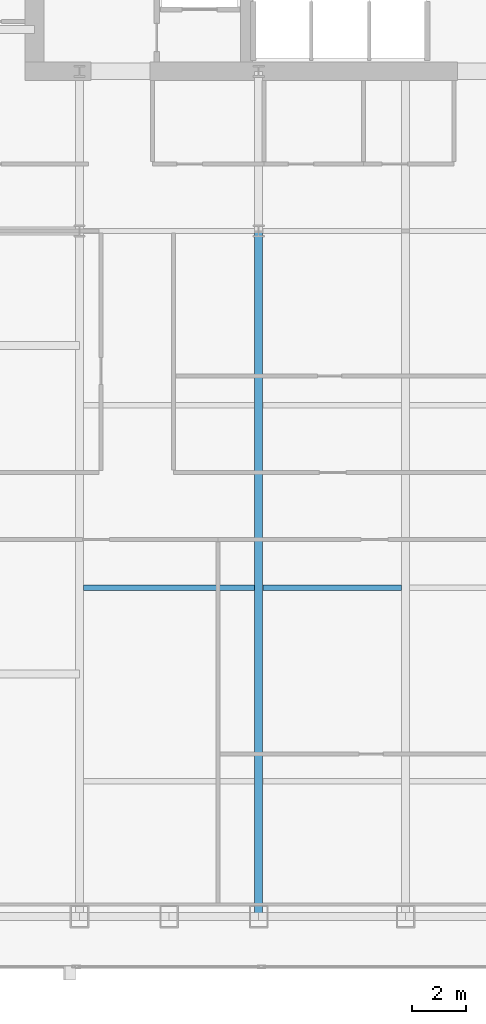
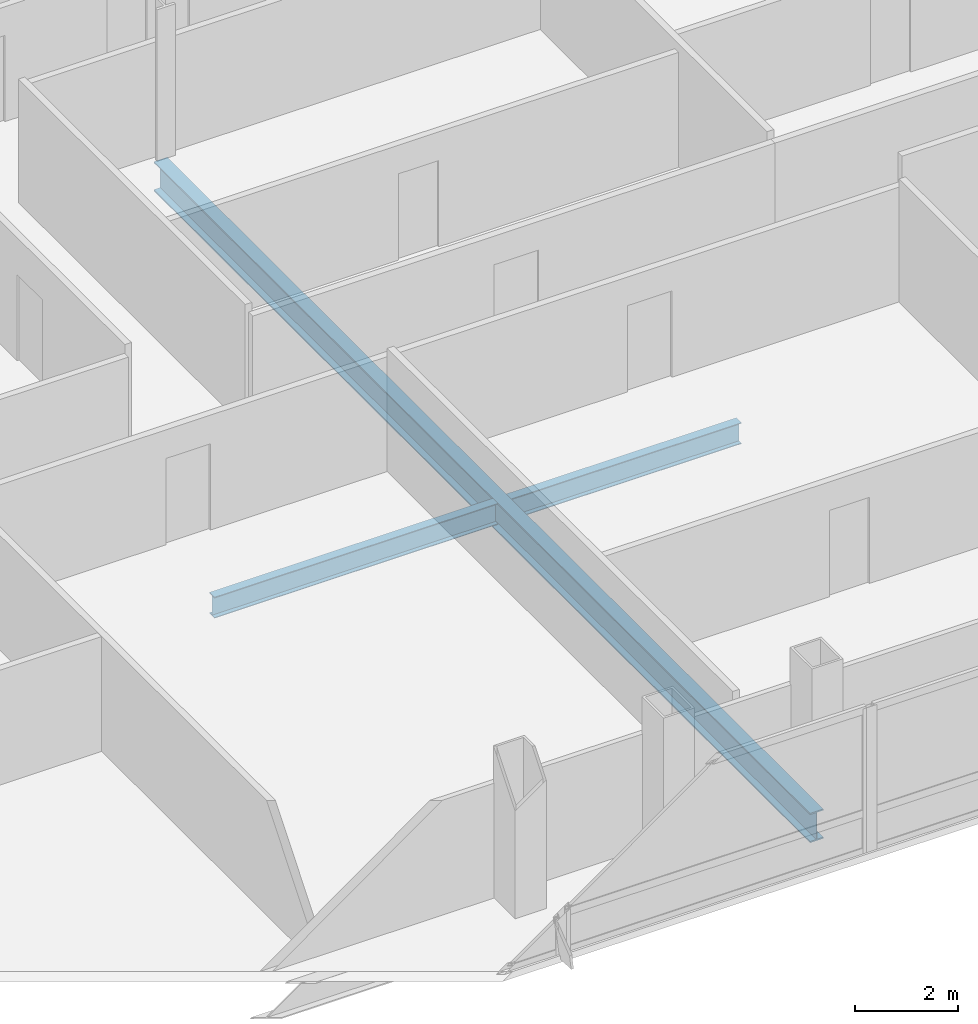
# One storey, part 9 of 29: 3 beams.
"""IFC4 building model written with IfcOpenShell, lengths in metres."""

from ifc_helpers import new_model, si_unit, direction, frame, origin, origin_2d, place, context, subcontext, project, spatial, i_section, extrude, material, material_profile, profile_set, type_object, element, save


model = new_model("IFC4")

# Units and contexts
model_context = context("Model", 3, precision=1e-05, world=origin(), true_north=direction((0.0, 1.0)))
body_context = subcontext(model_context, "Body", "Model", "MODEL_VIEW")
ifc_project = project(units=[si_unit("LENGTHUNIT", "METRE"), si_unit("AREAUNIT", "SQUARE_METRE"), si_unit("VOLUMEUNIT", "CUBIC_METRE"), si_unit("PLANEANGLEUNIT", "RADIAN"), si_unit("MASSUNIT", "GRAM", prefix="KILO")], contexts=[model_context])

# Site, building, storey
site_placement = place(None, origin())
site = spatial("IfcSite", under=ifc_project, at=site_placement, CompositionType="ELEMENT")
building_placement = place(site_placement, origin())
building = spatial("IfcBuilding", under=site, at=building_placement, Name="Khoronbel Lancet Exchange", CompositionType="ELEMENT")
storey_placement = place(building_placement, frame((0.0, 0.0, 139.800048828125)))
storey = spatial("IfcBuildingStorey", under=building, at=storey_placement, Name="L34", CompositionType="ELEMENT", Elevation=139.800048828125)

# Beams
ifc_material = material(Name="Steel S355", Category="steel")
ifc_material_profile_1 = material_profile(ifc_material, i_section(OverallWidth=0.300048828125, OverallDepth=0.699951171875, WebThickness=0.01708984375, FlangeThickness=0.031982421875, at=origin_2d()), Name="HEB 700")
ifc_profile_set_1 = profile_set([ifc_material_profile_1], Name="Steel S355")
beam_type_1 = type_object("IfcBeamType", Name="BM-BG3", PredefinedType="BEAM", material=ifc_profile_set_1)
beam_1_placement = place(storey_placement, frame((24.89990234375, 10.14990234375, -0.510009765625), z_axis=(0.0, 1.0, 0.0), x_axis=(-1.0, 0.0, 0.0)))
element("IfcBeam", 1, at=beam_1_placement, inside=storey, type_object=beam_type_1, Name="Level L34 south primary girder GS2", PredefinedType="BEAM", context=body_context, shape_type="SweptSolid", body=[
    extrude(i_section(OverallWidth=0.300048828125, OverallDepth=0.699951171875, WebThickness=0.01708984375, FlangeThickness=0.031982421875, at=origin_2d()), origin(), (0.0, 0.0, 1.0), 25.550048828125),
])
ifc_material_profile_2 = material_profile(ifc_material, i_section(OverallWidth=0.199951171875, OverallDepth=0.5, WebThickness=0.01025390625, FlangeThickness=0.01611328125, at=origin_2d()), Name="IPE 500")
ifc_profile_set_2 = profile_set([ifc_material_profile_2], Name="Steel S355")
beam_type_2 = type_object("IfcBeamType", Name="BM-BJ3", PredefinedType="JOIST", material=ifc_profile_set_2)
beam_2_placement = place(storey_placement, frame((18.375, 22.39990234375, -0.41015625), z_axis=(1.0, 0.0, 0.0), x_axis=(0.0, 1.0, 0.0)))
element("IfcBeam", 2, at=beam_2_placement, inside=storey, type_object=beam_type_2, Name="Level L34 secondary composite joist J06", PredefinedType="JOIST", context=body_context, shape_type="SweptSolid", body=[
    extrude(i_section(OverallWidth=0.199951171875, OverallDepth=0.5, WebThickness=0.01025390625, FlangeThickness=0.01611328125, at=origin_2d()), origin(), (0.0, 0.0, 1.0), 6.375),
])
beam_3_placement = place(storey_placement, frame((25.050048828125, 22.39990234375, -0.41015625), z_axis=(1.0, 0.0, 0.0), x_axis=(0.0, 1.0, 0.0)))
element("IfcBeam", 3, at=beam_3_placement, inside=storey, type_object=beam_type_2, Name="Level L34 secondary composite joist J07", PredefinedType="JOIST", context=body_context, shape_type="SweptSolid", body=[
    extrude(i_section(OverallWidth=0.199951171875, OverallDepth=0.5, WebThickness=0.01025390625, FlangeThickness=0.01611328125, at=origin_2d()), origin(), (0.0, 0.0, 1.0), 5.175048828125),
])

save(model, "model.ifc")
